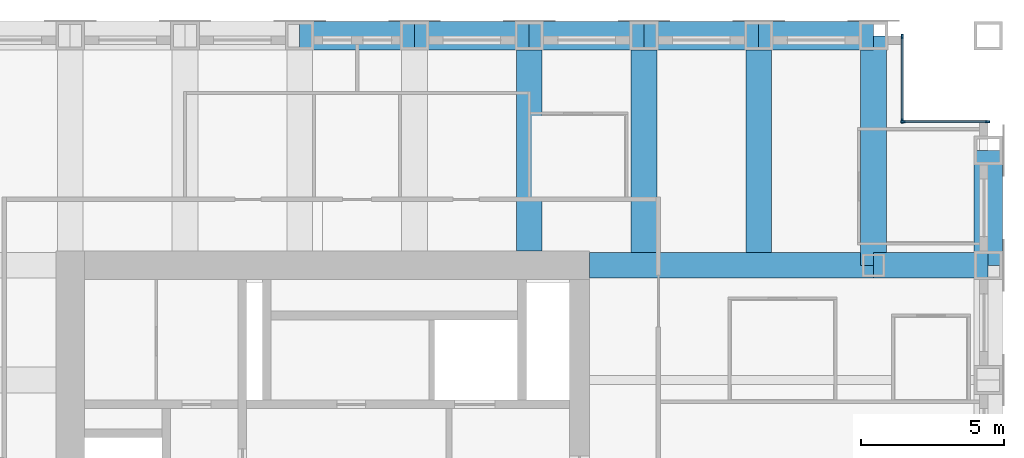
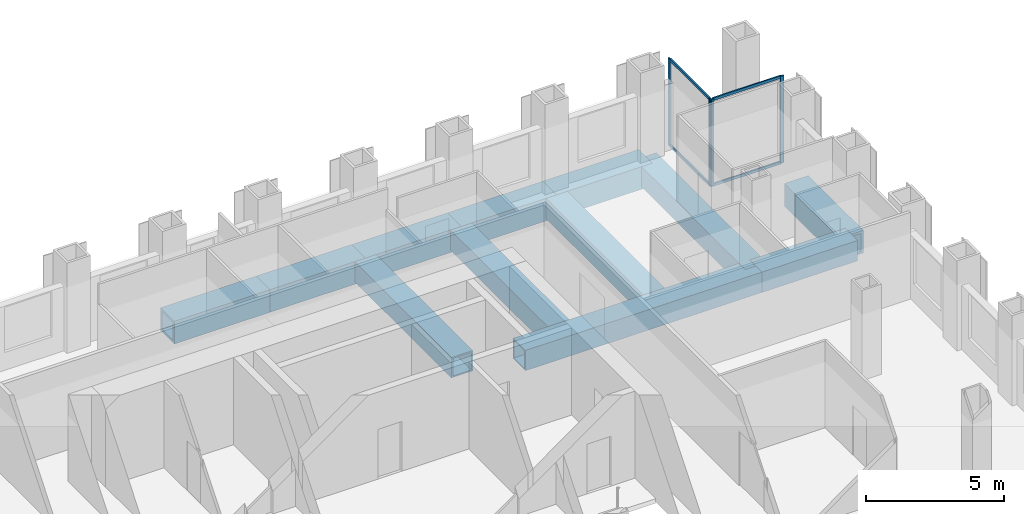
# One storey, part 6 of 13: 12 beams, 8 members, 2 elements without a shape of their own.
"""IFC4 building model written with IfcOpenShell, lengths in metres."""

from ifc_helpers import new_model, si_unit, direction, frame, origin, origin_2d, place, context, subcontext, project, spatial, rectangle, hollow_rectangle, extrude, material, material_profile, profile_set, type_object, element, aggregate, save


model = new_model("IFC4")

# Units and contexts
model_context = context("Model", 3, precision=1e-05, world=origin(), true_north=direction((0.0, 1.0)))
body_context = subcontext(model_context, "Body", "Model", "MODEL_VIEW")
ifc_project = project(units=[si_unit("LENGTHUNIT", "METRE"), si_unit("AREAUNIT", "SQUARE_METRE"), si_unit("VOLUMEUNIT", "CUBIC_METRE"), si_unit("PLANEANGLEUNIT", "RADIAN"), si_unit("MASSUNIT", "GRAM", prefix="KILO")], contexts=[model_context])

# Site, building, storey
site_placement = place(None, origin())
site = spatial("IfcSite", under=ifc_project, at=site_placement, CompositionType="ELEMENT")
building_placement = place(site_placement, origin())
building = spatial("IfcBuilding", under=site, at=building_placement, Name="Rimbunsela Tower", CompositionType="ELEMENT")
storey_placement = place(building_placement, frame((0.0, 0.0, 262.199951171875)))
storey = spatial("IfcBuildingStorey", under=building, at=storey_placement, Name="L63", CompositionType="ELEMENT", Elevation=262.199951171875)

# Beams
ifc_material_1 = material(Name="Steel BJ 55 (fy 410 MPa)", Category="steel")
ifc_material_profile_1 = material_profile(ifc_material_1, hollow_rectangle(XDim=1.0, YDim=1.0, WallThickness=0.10009765625, at=origin_2d()), Name="BOX 1000x1000x100")
ifc_profile_set_1 = profile_set([ifc_material_profile_1], Name="Steel BJ 55 (fy 410 MPa)")
beam_type_1 = type_object("IfcBeamType", Name="Beam BOX 1000x1000x100", PredefinedType="BEAM", material=ifc_profile_set_1)
for number, where, z_axis, x_axis, name in (
    (1, (26.0, 44.0, -0.64990234375), (1.0, 0.0, 0.0), (0.0, 1.0, 0.0), "Beam B3 L63"),
    (2, (30.0, 44.0, -0.64990234375), (1.0, 0.0, 0.0), (0.0, 1.0, 0.0), "Beam B3 L63"),
    (3, (34.0, 44.0, -0.64990234375), (1.0, 0.0, 0.0), (0.0, 1.0, 0.0), "Beam B3 L63"),
    (4, (38.0, 44.0, -0.64990234375), (1.0, 0.0, 0.0), (0.0, 1.0, 0.0), "Beam B3 L63"),
    (5, (42.0, 44.0, -0.64990234375), (1.0, 0.0, 0.0), (0.0, 1.0, 0.0), "Beam B3 L63"),
    (6, (50.0, 36.0, -0.64990234375), (0.0, 1.0, 0.0), (-1.0, 0.0, 0.0), "Beam B3 L63"),
):
    element("IfcBeam", number, at=place(storey_placement, frame(where, z_axis=z_axis, x_axis=x_axis)), inside=storey, type_object=beam_type_1, Name=name, PredefinedType="BEAM", context=body_context, shape_type="SweptSolid", body=[
        extrude(hollow_rectangle(XDim=1.0, YDim=1.0, WallThickness=0.10009765625, at=origin_2d()), origin(), (0.0, 0.0, 1.0), 4.0),
    ])
ifc_material_2 = material(Name="Steel BJ 55 (fy 410 MPa)", Category="steel")
ifc_material_profile_2 = material_profile(ifc_material_2, hollow_rectangle(XDim=0.89990234375, YDim=0.89990234375, WallThickness=0.06005859375, at=origin_2d()), Name="BOX 900x900x60")
ifc_profile_set_2 = profile_set([ifc_material_profile_2], Name="Steel BJ 55 (fy 410 MPa)")
beam_type_2 = type_object("IfcBeamType", Name="Beam BOX 900x900x60", PredefinedType="BEAM", material=ifc_profile_set_2)
beam_1_placement = place(storey_placement, frame((34.0, 36.5, -0.599853515625), z_axis=(0.0, 1.0, 0.0), x_axis=(-1.0, 0.0, 0.0)))
element("IfcBeam", 7, at=beam_1_placement, inside=storey, type_object=beam_type_2, Name="Beam B1 L63", PredefinedType="BEAM", context=body_context, shape_type="SweptSolid", body=[
    extrude(hollow_rectangle(XDim=0.89990234375, YDim=0.89990234375, WallThickness=0.06005859375, at=origin_2d()), origin(), (0.0, 0.0, 1.0), 7.5),
])
beam_2_placement = place(storey_placement, frame((36.10009765625, 36.0, -0.599853515625), z_axis=(1.0, 0.0, 0.0), x_axis=(0.0, 1.0, 0.0)))
element("IfcBeam", 8, at=beam_2_placement, inside=storey, type_object=beam_type_2, Name="Beam B1 L63", PredefinedType="BEAM", context=body_context, shape_type="SweptSolid", body=[
    extrude(hollow_rectangle(XDim=0.89990234375, YDim=0.89990234375, WallThickness=0.06005859375, at=origin_2d()), origin(), (0.0, 0.0, 1.0), 9.89990234375),
])
for number, where, z_axis, x_axis, name in (
    (9, (38.0, 36.449951171875, -0.599853515625), (0.0, 1.0, 0.0), (-1.0, 0.0, 0.0), "Beam B1 L63"),
    (10, (42.0, 36.449951171875, -0.599853515625), (0.0, 1.0, 0.0), (-1.0, 0.0, 0.0), "Beam B1 L63"),
):
    element("IfcBeam", number, at=place(storey_placement, frame(where, z_axis=z_axis, x_axis=x_axis)), inside=storey, type_object=beam_type_2, Name=name, PredefinedType="BEAM", context=body_context, shape_type="SweptSolid", body=[
        extrude(hollow_rectangle(XDim=0.89990234375, YDim=0.89990234375, WallThickness=0.06005859375, at=origin_2d()), origin(), (0.0, 0.0, 1.0), 7.550048828125),
    ])
beam_3_placement = place(storey_placement, frame((46.0, 36.0, -0.599853515625), z_axis=(0.0, 1.0, 0.0), x_axis=(-1.0, 0.0, 0.0)))
element("IfcBeam", 11, at=beam_3_placement, inside=storey, type_object=beam_type_2, Name="Beam B1 L63", PredefinedType="BEAM", context=body_context, shape_type="SweptSolid", body=[
    extrude(hollow_rectangle(XDim=0.89990234375, YDim=0.89990234375, WallThickness=0.06005859375, at=origin_2d()), origin(), (0.0, 0.0, 1.0), 8.0),
])
beam_4_placement = place(storey_placement, frame((46.0, 36.0, -0.599853515625), z_axis=(1.0, 0.0, 0.0), x_axis=(0.0, 1.0, 0.0)))
element("IfcBeam", 12, at=beam_4_placement, inside=storey, type_object=beam_type_2, Name="Beam B1 L63", PredefinedType="BEAM", context=body_context, shape_type="SweptSolid", body=[
    extrude(hollow_rectangle(XDim=0.89990234375, YDim=0.89990234375, WallThickness=0.06005859375, at=origin_2d()), origin(), (0.0, 0.0, 1.0), 4.0),
])

# Curtain wall, members
ifc_material_3 = material(Name="Aluminium curtain wall", Category="aluminium")
curtain_wall_type = type_object("IfcCurtainWallType", Name="Corner glazing", PredefinedType="USERDEFINED", material=ifc_material_3)
curtain_wall_1_placement = place(storey_placement, origin())
curtain_wall_1 = element("IfcCurtainWall", 13, at=curtain_wall_1_placement, inside=storey, type_object=curtain_wall_type, Name="Corner glazing L63", ObjectType="CORNER GLAZING", PredefinedType="USERDEFINED")
ifc_material_4 = material(Name="Aluminium mullion", Category="aluminium")
ifc_material_profile_3 = material_profile(ifc_material_4, rectangle(XDim=0.06005859375, YDim=0.159912109375, at=origin_2d()), Name="Mullion 60x160")
ifc_profile_set_3 = profile_set([ifc_material_profile_3], Name="Aluminium mullion")
member_type_1 = type_object("IfcMemberType", Name="Curtain wall mullion 60x160", PredefinedType="MULLION", material=ifc_profile_set_3)
member_1_placement = place(storey_placement, frame((49.969970703125, 41.0, 0.0), z_axis=(0.0, 0.0, 1.0), x_axis=(0.0, -1.0, 0.0)))
member_1 = element("IfcMember", 14, at=member_1_placement, type_object=member_type_1, Name="CW5 mullion 1", PredefinedType="MULLION", context=body_context, shape_type="SweptSolid", body=[
    extrude(rectangle(XDim=0.06005859375, YDim=0.159912109375, at=origin_2d()), origin(), (0.0, 0.0, 1.0), 3.85009765625),
])
member_2_placement = place(storey_placement, frame((47.030029296875, 41.0, 0.0), z_axis=(0.0, 0.0, 1.0), x_axis=(0.0, -1.0, 0.0)))
member_2 = element("IfcMember", 15, at=member_2_placement, type_object=member_type_1, Name="CW5 mullion 2", PredefinedType="MULLION", context=body_context, shape_type="SweptSolid", body=[
    extrude(rectangle(XDim=0.06005859375, YDim=0.159912109375, at=origin_2d()), origin(), (0.0, 0.0, 1.0), 3.85009765625),
])

curtain_wall_2_placement = place(storey_placement, origin())
curtain_wall_2 = element("IfcCurtainWall", 16, at=curtain_wall_2_placement, inside=storey, type_object=curtain_wall_type, Name="Corner glazing L63", ObjectType="CORNER GLAZING", PredefinedType="USERDEFINED")
member_3_placement = place(storey_placement, frame((47.0, 41.030029296875, 0.0), z_axis=(0.0, 0.0, 1.0), x_axis=(-1.0, 0.0, 0.0)))
member_3 = element("IfcMember", 17, at=member_3_placement, type_object=member_type_1, Name="CW5 mullion 1", PredefinedType="MULLION", context=body_context, shape_type="SweptSolid", body=[
    extrude(rectangle(XDim=0.06005859375, YDim=0.159912109375, at=origin_2d()), origin(), (0.0, 0.0, 1.0), 3.85009765625),
])
member_4_placement = place(storey_placement, frame((47.0, 43.969970703125, 0.0), z_axis=(0.0, 0.0, 1.0), x_axis=(-1.0, 0.0, 0.0)))
member_4 = element("IfcMember", 18, at=member_4_placement, type_object=member_type_1, Name="CW5 mullion 2", PredefinedType="MULLION", context=body_context, shape_type="SweptSolid", body=[
    extrude(rectangle(XDim=0.06005859375, YDim=0.159912109375, at=origin_2d()), origin(), (0.0, 0.0, 1.0), 3.85009765625),
])

# Member
ifc_material_5 = material(Name="Aluminium transom", Category="aluminium")
ifc_material_profile_4 = material_profile(ifc_material_5, rectangle(XDim=0.06005859375, YDim=0.1201171875, at=origin_2d()), Name="Transom 60x120")
ifc_profile_set_4 = profile_set([ifc_material_profile_4], Name="Aluminium transom")
member_type_2 = type_object("IfcMemberType", Name="Curtain wall transom 60x120", PredefinedType="USERDEFINED", material=ifc_profile_set_4)
member_5_placement = place(storey_placement, frame((49.93994140625, 41.0, 0.030029296875), z_axis=(-1.0, 0.0, 0.0), x_axis=(0.0, -1.0, 0.0)))
member_5 = element("IfcMember", 19, at=member_5_placement, type_object=member_type_2, Name="CW5 transom 1.1", ObjectType="TRANSOM", PredefinedType="USERDEFINED", context=body_context, shape_type="SweptSolid", body=[
    extrude(rectangle(XDim=0.06005859375, YDim=0.1201171875, at=origin_2d()), origin(), (0.0, 0.0, 1.0), 2.8798828125),
])

member_6_placement = place(storey_placement, frame((49.93994140625, 41.0, 3.820068359375), z_axis=(-1.0, 0.0, 0.0), x_axis=(0.0, -1.0, 0.0)))
member_6 = element("IfcMember", 20, at=member_6_placement, type_object=member_type_2, Name="CW5 transom 1.2", ObjectType="TRANSOM", PredefinedType="USERDEFINED", context=body_context, shape_type="SweptSolid", body=[
    extrude(rectangle(XDim=0.06005859375, YDim=0.1201171875, at=origin_2d()), origin(), (0.0, 0.0, 1.0), 2.8798828125),
])

aggregate(curtain_wall_1, [member_1, member_2, member_5, member_6])

member_7_placement = place(storey_placement, frame((47.0, 41.06005859375, 0.030029296875), z_axis=(0.0, 1.0, 0.0), x_axis=(-1.0, 0.0, 0.0)))
member_7 = element("IfcMember", 21, at=member_7_placement, type_object=member_type_2, Name="CW5 transom 1.1", ObjectType="TRANSOM", PredefinedType="USERDEFINED", context=body_context, shape_type="SweptSolid", body=[
    extrude(rectangle(XDim=0.06005859375, YDim=0.1201171875, at=origin_2d()), origin(), (0.0, 0.0, 1.0), 2.8798828125),
])

member_8_placement = place(storey_placement, frame((47.0, 41.06005859375, 3.820068359375), z_axis=(0.0, 1.0, 0.0), x_axis=(-1.0, 0.0, 0.0)))
member_8 = element("IfcMember", 22, at=member_8_placement, type_object=member_type_2, Name="CW5 transom 1.2", ObjectType="TRANSOM", PredefinedType="USERDEFINED", context=body_context, shape_type="SweptSolid", body=[
    extrude(rectangle(XDim=0.06005859375, YDim=0.1201171875, at=origin_2d()), origin(), (0.0, 0.0, 1.0), 2.8798828125),
])

aggregate(curtain_wall_2, [member_3, member_4, member_7, member_8])

save(model, "model.ifc")
